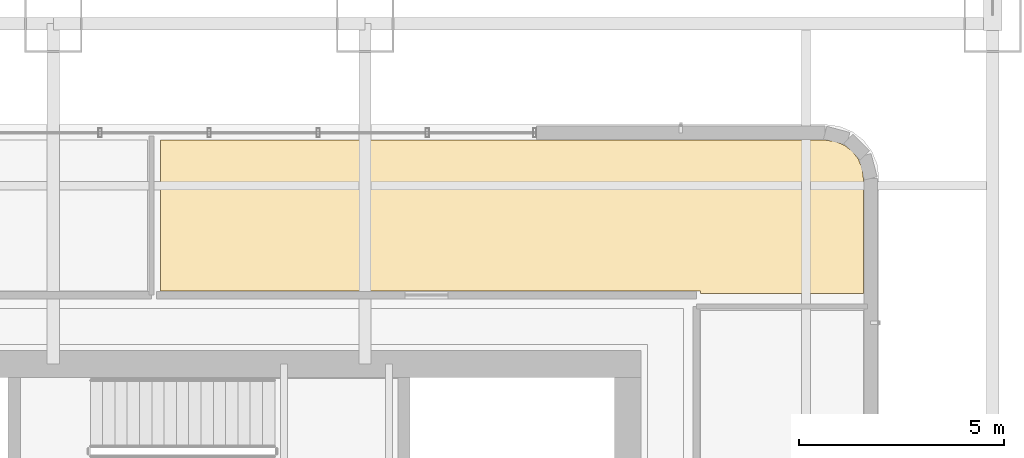
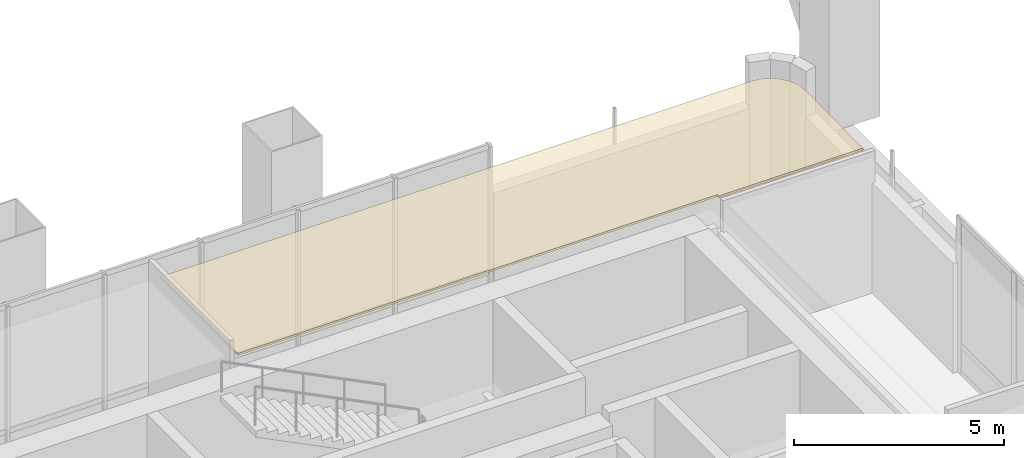
# One storey, part 25 of 30: 1 covering.
"""IFC4 building model written with IfcOpenShell, lengths in metres."""

from ifc_helpers import new_model, si_unit, direction, frame, origin, place, context, subcontext, project, spatial, polyline, outline, extrude, material, layer, layer_set, type_object, element, save


model = new_model("IFC4")

# Units and contexts
model_context = context("Model", 3, precision=1e-05, world=origin(), true_north=direction((0.0, 1.0)))
body_context = subcontext(model_context, "Body", "Model", "MODEL_VIEW")
ifc_project = project(units=[si_unit("LENGTHUNIT", "METRE"), si_unit("AREAUNIT", "SQUARE_METRE"), si_unit("VOLUMEUNIT", "CUBIC_METRE"), si_unit("PLANEANGLEUNIT", "RADIAN"), si_unit("MASSUNIT", "GRAM", prefix="KILO")], contexts=[model_context])

# Site, building, storey
site_placement = place(None, origin())
site = spatial("IfcSite", under=ifc_project, at=site_placement, CompositionType="ELEMENT")
building_placement = place(site_placement, origin())
building = spatial("IfcBuilding", under=site, at=building_placement, Name="Punatoya Terracotta Tower", CompositionType="ELEMENT")
storey_placement = place(building_placement, frame((0.0, 0.0, 135.0)))
storey = spatial("IfcBuildingStorey", under=building, at=storey_placement, Name="L31", CompositionType="ELEMENT", Elevation=135.0)

# Covering
ifc_material = material(Name="Acoustic Mineral Fibre Ceiling")
ifc_layer = layer(ifc_material, 0.06005859375)
ifc_layer_set = layer_set([ifc_layer], Name="Acoustic Mineral Fibre Ceiling")
covering_type = type_object("IfcCoveringType", Name="COV-CEIL-60", PredefinedType="CEILING", material=ifc_layer_set)
covering_placement = place(storey_placement, frame((0.0, 0.0, 3.929931640625)))
element("IfcCovering", 1, at=covering_placement, inside=storey, type_object=covering_type, Name="L31 Quantitative Practice Office Acoustic Ceiling", PredefinedType="CEILING", context=body_context, shape_type="SweptSolid", body=[
    extrude(outline(polyline([(11.97998046875, 10.919921875), (15.949951171875, 10.919921875), (15.949951171875, 13.715087890625), (15.91552734375, 13.977294921875), (15.823974609375, 14.1982421875), (15.67822265625, 14.38818359375), (15.48828125, 14.533935546875), (15.267333984375, 14.62548828125), (15.005126953125, 14.659912109375), (-1.18603515625, 14.659912109375), (-1.18603515625, 10.97998046875), (11.97998046875, 10.97998046875), (11.97998046875, 10.919921875)])), origin(), (0.0, 0.0, 1.0), 0.06005859375),
])

save(model, "model.ifc")
